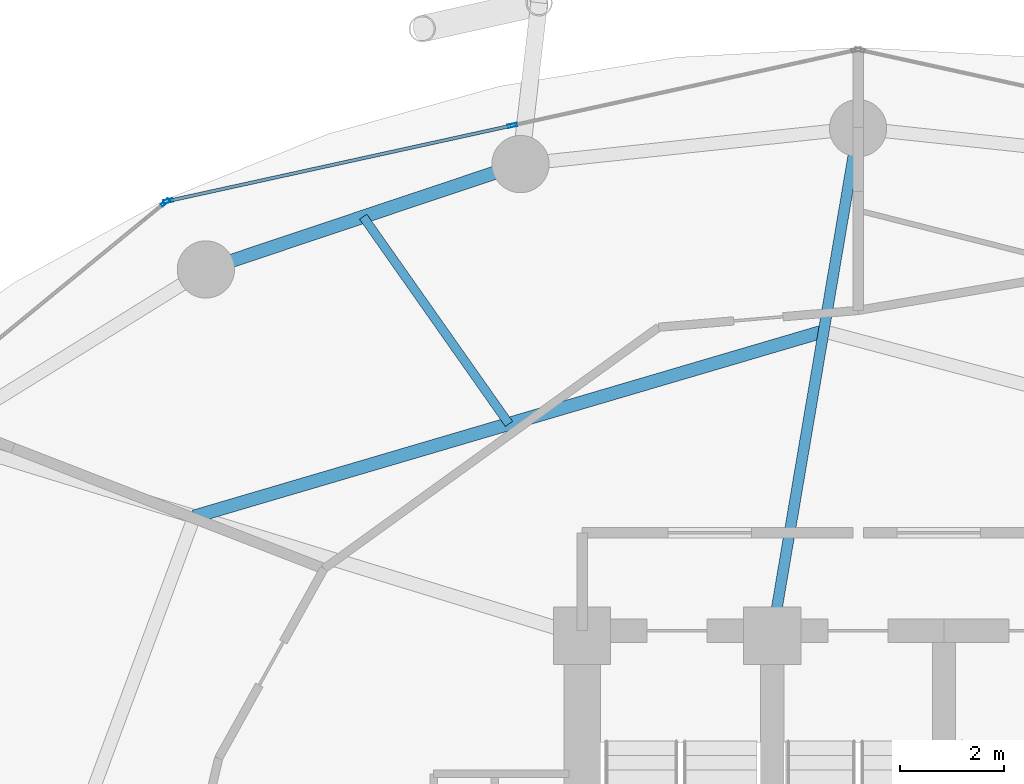
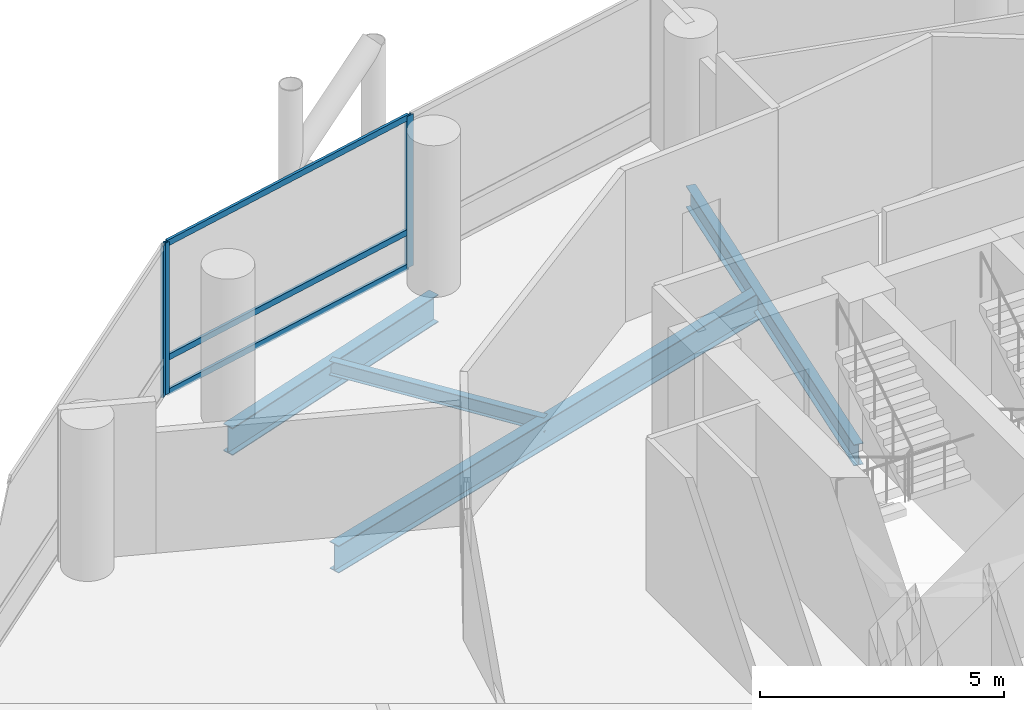
# One storey, part 15 of 24: 6 members, 4 beams, 2 elements without a shape of their own.
"""IFC4 building model written with IfcOpenShell, lengths in metres."""

from ifc_helpers import new_model, si_unit, direction, frame, origin, origin_2d, place, context, subcontext, project, spatial, hollow_rectangle, i_section, extrude, material, layer, layer_set, material_profile, profile_set, type_object, element, aggregate, save


model = new_model("IFC4")

# Units and contexts
model_context = context("Model", 3, precision=1e-05, world=origin(), true_north=direction((0.0, 1.0)))
body_context = subcontext(model_context, "Body", "Model", "MODEL_VIEW")
ifc_project = project(units=[si_unit("LENGTHUNIT", "METRE"), si_unit("AREAUNIT", "SQUARE_METRE"), si_unit("VOLUMEUNIT", "CUBIC_METRE"), si_unit("PLANEANGLEUNIT", "RADIAN"), si_unit("MASSUNIT", "GRAM", prefix="KILO")], contexts=[model_context])

# Site, building, storey
site_placement = place(None, origin())
site = spatial("IfcSite", under=ifc_project, at=site_placement, CompositionType="ELEMENT")
building_placement = place(site_placement, origin())
building = spatial("IfcBuilding", under=site, at=building_placement, Name="Nuhasar Tower", CompositionType="ELEMENT")
storey_placement = place(building_placement, frame((0.0, 0.0, 69.60009765625)))
storey = spatial("IfcBuildingStorey", under=building, at=storey_placement, Name="L16", CompositionType="ELEMENT", Elevation=69.60009765625)

# Beams
ifc_material_1 = material(Name="Steel S355", Category="steel")
ifc_material_profile_1 = material_profile(ifc_material_1, i_section(OverallWidth=0.25390625, OverallDepth=0.68408203125, WebThickness=0.012451171875, FlangeThickness=0.018798828125, at=origin_2d()), Name="W27X94")
ifc_profile_set_1 = profile_set([ifc_material_profile_1], Name="Steel S355")
beam_type_1 = type_object("IfcBeamType", Name="BM-INRING-W27X94", PredefinedType="BEAM", material=ifc_profile_set_1)
beam_1_placement = place(storey_placement, frame((38.340087890625, 43.14990234375, -0.592041015625), z_axis=(-0.959290190666, -0.28242225495, 0.0), x_axis=(0.28242225495, -0.959290190666, 0.0)))
element("IfcBeam", 1, at=beam_1_placement, inside=storey, type_object=beam_type_1, Name="L16 Inner Header Beam 06", PredefinedType="BEAM", context=body_context, shape_type="SweptSolid", body=[
    extrude(i_section(OverallWidth=0.25390625, OverallDepth=0.68408203125, WebThickness=0.012451171875, FlangeThickness=0.018798828125, at=origin_2d()), origin(), (0.0, 0.0, 1.0), 12.60107421875),
])
ifc_material_profile_2 = material_profile(ifc_material_1, i_section(OverallWidth=0.1708984375, OverallDepth=0.35205078125, WebThickness=0.0068359375, FlangeThickness=0.009765625, at=origin_2d()), Name="W14X30")
ifc_profile_set_2 = profile_set([ifc_material_profile_2], Name="Steel S355")
beam_type_2 = type_object("IfcBeamType", Name="BM-JST-W14X30", PredefinedType="JOIST", material=ifc_profile_set_2)
beam_2_placement = place(storey_placement, frame((32.2958984375, 41.3701171875, -0.426025390625), z_axis=(-0.575461088141, 0.817829160666, 0.0), x_axis=(-0.817829160666, -0.575461088141, 0.0)))
element("IfcBeam", 2, at=beam_2_placement, inside=storey, type_object=beam_type_2, Name="L16 Secondary Floor Joist 06", PredefinedType="JOIST", context=body_context, shape_type="SweptSolid", body=[
    extrude(i_section(OverallWidth=0.1708984375, OverallDepth=0.35205078125, WebThickness=0.0068359375, FlangeThickness=0.009765625, at=origin_2d()), origin(), (0.0, 0.0, 1.0), 4.865234375),
])
ifc_material_profile_3 = material_profile(ifc_material_1, i_section(OverallWidth=0.208984375, OverallDepth=0.532958984375, WebThickness=0.01025390625, FlangeThickness=0.015625, at=origin_2d()), Name="W21X62")
ifc_profile_set_3 = profile_set([ifc_material_profile_3], Name="Steel S355")
beam_type_3 = type_object("IfcBeamType", Name="BM-RAD-W21X62", PredefinedType="BEAM", material=ifc_profile_set_3)
beam_3_placement = place(storey_placement, frame((37.35009765625, 37.300048828125, -0.51611328125), z_axis=(0.166848703013, 0.98598251014, 0.0), x_axis=(-0.98598251014, 0.166848703013, 0.0)))
element("IfcBeam", 3, at=beam_3_placement, inside=storey, type_object=beam_type_3, Name="L16 Radial Floor Girder 06", PredefinedType="BEAM", context=body_context, shape_type="SweptSolid", body=[
    extrude(i_section(OverallWidth=0.208984375, OverallDepth=0.532958984375, WebThickness=0.01025390625, FlangeThickness=0.015625, at=origin_2d()), origin(), (0.0, 0.0, 1.0), 9.888671875),
])
ifc_material_profile_4 = material_profile(ifc_material_1, i_section(OverallWidth=0.256103515625, OverallDepth=0.693115234375, WebThickness=0.014404296875, FlangeThickness=0.023681640625, at=origin_2d()), Name="W27X114")
ifc_profile_set_4 = profile_set([ifc_material_profile_4], Name="Steel S355")
beam_type_4 = type_object("IfcBeamType", Name="BM-RING-W27X114", PredefinedType="SPANDREL", material=ifc_profile_set_4)
beam_4_placement = place(storey_placement, frame((32.51708984375, 46.360107421875, -0.59716796875), z_axis=(-0.948249435708, -0.317526388949, 0.0), x_axis=(0.317526388949, -0.948249435708, 0.0)))
element("IfcBeam", 4, at=beam_4_placement, inside=storey, type_object=beam_type_4, Name="L16 Perimeter Ring Spandrel 08", PredefinedType="SPANDREL", context=body_context, shape_type="SweptSolid", body=[
    extrude(i_section(OverallWidth=0.256103515625, OverallDepth=0.693115234375, WebThickness=0.014404296875, FlangeThickness=0.023681640625, at=origin_2d()), origin(), (0.0, 0.0, 1.0), 6.371826171875),
])

# Curtain wall, members
ifc_material_2 = material(Name="Aluminium 6063-T6", Category="aluminium")
ifc_layer = layer(ifc_material_2, 0.199951171875)
ifc_layer_set = layer_set([ifc_layer], Name="Aluminium 6063-T6")
curtain_wall_type = type_object("IfcCurtainWallType", Name="CW-Z1-OFF", PredefinedType="NOTDEFINED", material=ifc_layer_set)
curtain_wall_1_placement = place(storey_placement, origin())
curtain_wall_1 = element("IfcCurtainWall", 5, at=curtain_wall_1_placement, inside=storey, type_object=curtain_wall_type, Name="L16 Unitised Curtain Wall 04", PredefinedType="NOTDEFINED")
ifc_material_profile_5 = material_profile(ifc_material_2, hollow_rectangle(XDim=0.06494140625, YDim=0.179931640625, WallThickness=0.0048828125, at=origin_2d()), Name="CWM-2")
ifc_profile_set_5 = profile_set([ifc_material_profile_5], Name="Aluminium 6063-T6")
member_type_1 = type_object("IfcMemberType", Name="CW-MUL-S2", PredefinedType="MULLION", material=ifc_profile_set_5)
member_1_placement = place(storey_placement, frame((32.360107421875, 47.1025390625, 0.0), z_axis=(0.0, 0.0, 1.0), x_axis=(0.214398737637, -0.976746221544, 0.0)))
member_1 = element("IfcMember", 6, at=member_1_placement, type_object=member_type_1, Name="CW-Z1 mullion 2", PredefinedType="MULLION", context=body_context, shape_type="SweptSolid", body=[
    extrude(hollow_rectangle(XDim=0.06494140625, YDim=0.179931640625, WallThickness=0.0048828125, at=origin_2d()), origin(), (0.0, 0.0, 1.0), 3.7998046875),
])
member_2_placement = place(storey_placement, frame((25.751708984375, 45.65185546875, 0.0), z_axis=(0.0, 0.0, 1.0), x_axis=(0.214398737637, -0.976746221544, 0.0)))
member_2 = element("IfcMember", 7, at=member_2_placement, type_object=member_type_1, Name="CW-Z1 mullion 3", PredefinedType="MULLION", context=body_context, shape_type="SweptSolid", body=[
    extrude(hollow_rectangle(XDim=0.06494140625, YDim=0.179931640625, WallThickness=0.0048828125, at=origin_2d()), origin(), (0.0, 0.0, 1.0), 3.7998046875),
])

# Curtain wall, member
curtain_wall_2_placement = place(storey_placement, origin())
curtain_wall_2 = element("IfcCurtainWall", 8, at=curtain_wall_2_placement, inside=storey, type_object=curtain_wall_type, Name="L16 Unitised Curtain Wall 05", PredefinedType="NOTDEFINED")
member_3_placement = place(storey_placement, frame((25.69482421875, 45.62451171875, 0.0), z_axis=(0.0, 0.0, 1.0), x_axis=(0.633744593376, -0.773542364946, 0.0)))
member_3 = element("IfcMember", 9, at=member_3_placement, type_object=member_type_1, Name="CW-Z1 mullion 1", PredefinedType="MULLION", context=body_context, shape_type="SweptSolid", body=[
    extrude(hollow_rectangle(XDim=0.06494140625, YDim=0.179931640625, WallThickness=0.0048828125, at=origin_2d()), origin(), (0.0, 0.0, 1.0), 3.7998046875),
])
aggregate(curtain_wall_2, [member_3])

# Member
ifc_material_profile_6 = material_profile(ifc_material_2, hollow_rectangle(XDim=0.06494140625, YDim=0.14990234375, WallThickness=0.00439453125, at=origin_2d()), Name="CWT-2")
ifc_profile_set_6 = profile_set([ifc_material_profile_6], Name="Aluminium 6063-T6")
member_type_2 = type_object("IfcMemberType", Name="CW-TRN-S2", PredefinedType="USERDEFINED", material=ifc_profile_set_6)
member_4_placement = place(storey_placement, frame((32.328369140625, 47.095458984375, 0.032470703125), z_axis=(-0.976749553792, -0.214383556196, 0.0), x_axis=(0.214383556196, -0.976749553792, 0.0)))
member_4 = element("IfcMember", 10, at=member_4_placement, type_object=member_type_2, Name="CW-Z1 transom 2.1", ObjectType="TRANSOM", PredefinedType="USERDEFINED", context=body_context, shape_type="SweptSolid", body=[
    extrude(hollow_rectangle(XDim=0.06494140625, YDim=0.14990234375, WallThickness=0.00439453125, at=origin_2d()), origin(), (0.0, 0.0, 1.0), 6.70068359375),
])

member_5_placement = place(storey_placement, frame((32.328369140625, 47.095458984375, 0.89990234375), z_axis=(-0.976749553792, -0.214383556196, 0.0), x_axis=(0.214383556196, -0.976749553792, 0.0)))
member_5 = element("IfcMember", 11, at=member_5_placement, type_object=member_type_2, Name="CW-Z1 transom 2.2", ObjectType="TRANSOM", PredefinedType="USERDEFINED", context=body_context, shape_type="SweptSolid", body=[
    extrude(hollow_rectangle(XDim=0.06494140625, YDim=0.14990234375, WallThickness=0.00439453125, at=origin_2d()), origin(), (0.0, 0.0, 1.0), 6.70068359375),
])

member_6_placement = place(storey_placement, frame((32.328369140625, 47.095458984375, 3.767333984375), z_axis=(-0.976749553792, -0.214383556196, 0.0), x_axis=(0.214383556196, -0.976749553792, 0.0)))
member_6 = element("IfcMember", 12, at=member_6_placement, type_object=member_type_2, Name="CW-Z1 transom 2.3", ObjectType="TRANSOM", PredefinedType="USERDEFINED", context=body_context, shape_type="SweptSolid", body=[
    extrude(hollow_rectangle(XDim=0.06494140625, YDim=0.14990234375, WallThickness=0.00439453125, at=origin_2d()), origin(), (0.0, 0.0, 1.0), 6.70068359375),
])

aggregate(curtain_wall_1, [member_1, member_2, member_4, member_5, member_6])

save(model, "model.ifc")
